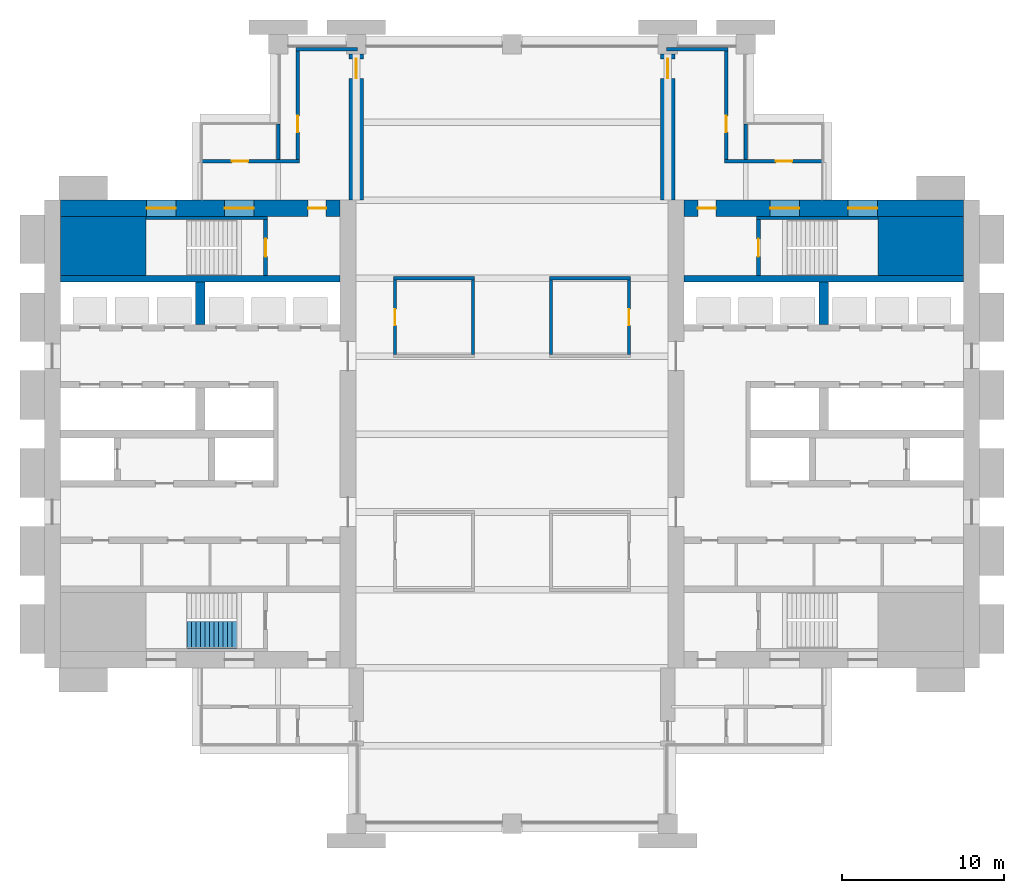
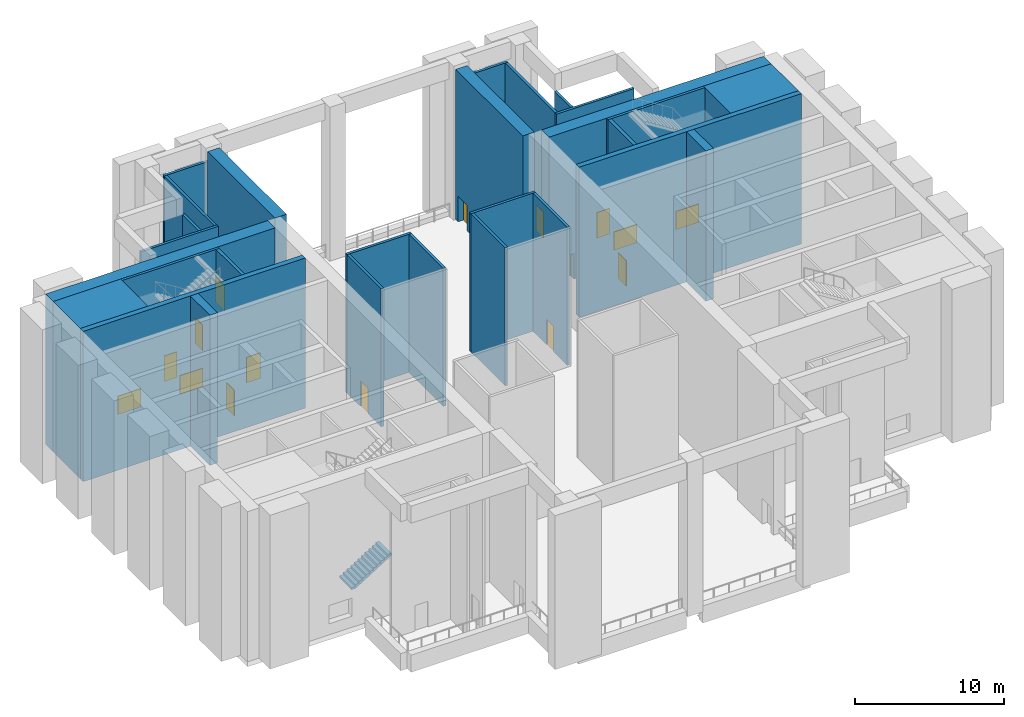
# One storey, part 5 of 9: 28 walls, 12 doors, 4 windows, 1 stair flight, 16 openings, 1 element without a shape of its own.
"""IFC4 building model written with IfcOpenShell, lengths in metres."""

from ifc_helpers import new_model, si_unit, direction, frame, frame_2d, origin, place, context, subcontext, project, spatial, polyline, rectangle, outline, extrude, material, layer, layer_set, type_object, element, fill, aggregate, save


model = new_model("IFC4")

# Units and contexts
model_context = context("Model", 3, precision=1e-05, world=origin(), true_north=direction((0.0, 1.0)))
body_context = subcontext(model_context, "Body", "Model", "MODEL_VIEW")
ifc_project = project(units=[si_unit("LENGTHUNIT", "METRE"), si_unit("AREAUNIT", "SQUARE_METRE"), si_unit("VOLUMEUNIT", "CUBIC_METRE"), si_unit("PLANEANGLEUNIT", "RADIAN"), si_unit("MASSUNIT", "GRAM", prefix="KILO")], contexts=[model_context])

# Site, building, storey
site_placement = place(None, origin())
site = spatial("IfcSite", under=ifc_project, at=site_placement, CompositionType="ELEMENT")
building_placement = place(site_placement, origin())
building = spatial("IfcBuilding", under=site, at=building_placement, Name="Baori Bourse Tower", CompositionType="ELEMENT")
storey_placement = place(building_placement, frame((0.0, 0.0, 180.60009765625)))
storey = spatial("IfcBuildingStorey", under=building, at=storey_placement, Name="L40", CompositionType="ELEMENT", Elevation=180.60009765625)

# Walls
ifc_material_1 = material(Name="Concrete f'c 60 MPa", Category="concrete")
wall_type_1 = type_object("IfcWallType", Name="Core corner block f'c 60", PredefinedType="SHEAR", material=ifc_material_1)
for number, where, z_axis, x_axis, name in (
    (1, (1.0, 35.574951171875, 0.0), (0.0, 0.0, 1.0), (1.0, 0.0, 0.0), "Core wall W22"),
    (2, (51.35009765625, 35.574951171875, 0.0), (0.0, 0.0, 1.0), (1.0, 0.0, 0.0), "Core wall E22"),
):
    element("IfcWall", number, at=place(storey_placement, frame(where, z_axis=z_axis, x_axis=x_axis)), inside=storey, type_object=wall_type_1, Name=name, PredefinedType="SHEAR", context=body_context, shape_type="SweptSolid", body=[
        extrude(rectangle(XDim=5.25, YDim=3.64990234375, at=frame_2d((2.625, 0.0))), origin(), (0.0, 0.0, 1.0), 12.2998046875),
    ])

# Wall, openings, door, windows
ifc_material_2 = material(Name="Concrete f'c 60 MPa", Category="concrete")
ifc_layer_1 = layer(ifc_material_2, 1.0)
ifc_layer_set_1 = layer_set([ifc_layer_1], Name="Core wall 1000 f'c 60")
wall_type_2 = type_object("IfcWallType", Name="Core wall 1000 f'c 60", PredefinedType="SHEAR", material=ifc_layer_set_1)
wall_1_placement = place(storey_placement, frame((1.0, 37.89990234375, 0.0), z_axis=(0.0, 0.0, 1.0), x_axis=(1.0, 0.0, 0.0)))
wall_1 = element("IfcWall", 3, at=wall_1_placement, inside=storey, type_object=wall_type_2, Name="Core wall W25", PredefinedType="SHEAR", context=body_context, shape_type="SweptSolid", body=[
    extrude(rectangle(XDim=17.199951171875, YDim=1.0, at=frame_2d((8.60009765625, 0.0))), origin(), (0.0, 0.0, 1.0), 12.2998046875),
])
opening_1_placement = place(wall_1_placement, frame((15.25, 0.0, 0.0)))
opening_1 = element("IfcOpeningElement", 4, at=opening_1_placement, cuts=wall_1, Name="Opening L40-D104", PredefinedType="OPENING", context=body_context, shape_type="SweptSolid", body=[
    extrude(rectangle(XDim=1.10009765625, YDim=2.10009765625, at=frame_2d((0.550048828125, 1.050048828125))), frame((0.0, 0.510009765625, 0.0), z_axis=(0.0, -1.0, 0.0), x_axis=(1.0, 0.0, 0.0)), (0.0, 0.0, 1.0), 1.02001953125),
])
opening_2_placement = place(wall_1_placement, frame((5.300048828125, 0.0, 0.89990234375)))
opening_2 = element("IfcOpeningElement", 5, at=opening_2_placement, cuts=wall_1, Name="Opening L40-KW105", PredefinedType="OPENING", context=body_context, shape_type="SweptSolid", body=[
    extrude(rectangle(XDim=1.800048828125, YDim=1.5, at=frame_2d((0.89990234375, 0.75))), frame((0.0, 0.510009765625, 0.0), z_axis=(0.0, -1.0, 0.0), x_axis=(1.0, 0.0, 0.0)), (0.0, 0.0, 1.0), 1.02001953125),
])
opening_3_placement = place(wall_1_placement, frame((10.10009765625, 0.0, 0.89990234375)))
opening_3 = element("IfcOpeningElement", 6, at=opening_3_placement, cuts=wall_1, Name="Opening L40-KW106", PredefinedType="OPENING", context=body_context, shape_type="SweptSolid", body=[
    extrude(rectangle(XDim=1.800048828125, YDim=1.5, at=frame_2d((0.89990234375, 0.75))), frame((0.0, 0.510009765625, 0.0), z_axis=(0.0, -1.0, 0.0), x_axis=(1.0, 0.0, 0.0)), (0.0, 0.0, 1.0), 1.02001953125),
])
ifc_material_3 = material(Name="Painted steel door", Category="steel")
door_type_1 = type_object("IfcDoorType", Name="Stair door 1100", OperationType="SINGLE_SWING_LEFT", PredefinedType="DOOR", material=ifc_material_3)
door_1_placement = place(opening_1_placement, origin())
door_1 = element("IfcDoor", 7, at=door_1_placement, inside=storey, type_object=door_type_1, Name="Stair vestibule door B W L40", OperationType="SINGLE_SWING_LEFT", OverallHeight=2.10009765625, OverallWidth=1.10009765625, PredefinedType="DOOR", context=body_context, shape_type="SweptSolid", body=[
    extrude(rectangle(XDim=1.10009765625, YDim=2.10009765625, at=frame_2d((0.550048828125, 1.050048828125))), frame((0.0, 0.02490234375, 0.0), z_axis=(0.0, -1.0, 0.0), x_axis=(1.0, 0.0, 0.0)), (0.0, 0.0, 1.0), 0.050048828125),
])
fill(opening_1, door_1)
ifc_material_4 = material(Name="Pale anodised aluminium", Category="aluminium")
window_type = type_object("IfcWindowType", Name="Stair window 1800 x 1500", PartitioningType="SINGLE_PANEL", PredefinedType="WINDOW", material=ifc_material_4)
window_1_placement = place(opening_2_placement, origin())
window_1 = element("IfcWindow", 8, at=window_1_placement, inside=storey, type_object=window_type, Name="Stair window W L40 5", OverallHeight=1.5, OverallWidth=1.800048828125, PartitioningType="SINGLE_PANEL", PredefinedType="WINDOW", context=body_context, shape_type="SweptSolid", body=[
    extrude(rectangle(XDim=1.800048828125, YDim=1.5, at=frame_2d((0.89990234375, 0.75))), frame((0.0, 0.030029296875, 0.0), z_axis=(0.0, -1.0, 0.0), x_axis=(1.0, 0.0, 0.0)), (0.0, 0.0, 1.0), 0.06005859375),
])
fill(opening_2, window_1)
window_2_placement = place(opening_3_placement, origin())
window_2 = element("IfcWindow", 9, at=window_2_placement, inside=storey, type_object=window_type, Name="Stair window W L40 6", OverallHeight=1.5, OverallWidth=1.800048828125, PartitioningType="SINGLE_PANEL", PredefinedType="WINDOW", context=body_context, shape_type="SweptSolid", body=[
    extrude(rectangle(XDim=1.800048828125, YDim=1.5, at=frame_2d((0.89990234375, 0.75))), frame((0.0, 0.030029296875, 0.0), z_axis=(0.0, -1.0, 0.0), x_axis=(1.0, 0.0, 0.0)), (0.0, 0.0, 1.0), 0.06005859375),
])
fill(opening_3, window_2)

wall_2_placement = place(storey_placement, frame((39.39990234375, 37.89990234375, 0.0), z_axis=(0.0, 0.0, 1.0), x_axis=(1.0, 0.0, 0.0)))
wall_2 = element("IfcWall", 10, at=wall_2_placement, inside=storey, type_object=wall_type_2, Name="Core wall E25", PredefinedType="SHEAR", context=body_context, shape_type="SweptSolid", body=[
    extrude(rectangle(XDim=17.2001953125, YDim=1.0, at=frame_2d((8.60009765625, 0.0))), origin(), (0.0, 0.0, 1.0), 12.2998046875),
])
opening_4_placement = place(wall_2_placement, frame((0.85009765625, 0.0, 0.0)))
opening_4 = element("IfcOpeningElement", 11, at=opening_4_placement, cuts=wall_2, Name="Opening L40-D204", PredefinedType="OPENING", context=body_context, shape_type="SweptSolid", body=[
    extrude(rectangle(XDim=1.10009765625, YDim=2.10009765625, at=frame_2d((0.550048828125, 1.050048828125))), frame((0.0, 0.510009765625, 0.0), z_axis=(0.0, -1.0, 0.0), x_axis=(1.0, 0.0, 0.0)), (0.0, 0.0, 1.0), 1.02001953125),
])
opening_5_placement = place(wall_2_placement, frame((10.10009765625, 0.0, 0.89990234375)))
opening_5 = element("IfcOpeningElement", 12, at=opening_5_placement, cuts=wall_2, Name="Opening L40-KW205", PredefinedType="OPENING", context=body_context, shape_type="SweptSolid", body=[
    extrude(rectangle(XDim=1.800048828125, YDim=1.5, at=frame_2d((0.89990234375, 0.75))), frame((0.0, 0.510009765625, 0.0), z_axis=(0.0, -1.0, 0.0), x_axis=(1.0, 0.0, 0.0)), (0.0, 0.0, 1.0), 1.02001953125),
])
opening_6_placement = place(wall_2_placement, frame((5.300048828125, 0.0, 0.89990234375)))
opening_6 = element("IfcOpeningElement", 13, at=opening_6_placement, cuts=wall_2, Name="Opening L40-KW206", PredefinedType="OPENING", context=body_context, shape_type="SweptSolid", body=[
    extrude(rectangle(XDim=1.800048828125, YDim=1.5, at=frame_2d((0.89990234375, 0.75))), frame((0.0, 0.510009765625, 0.0), z_axis=(0.0, -1.0, 0.0), x_axis=(1.0, 0.0, 0.0)), (0.0, 0.0, 1.0), 1.02001953125),
])
door_2_placement = place(opening_4_placement, origin())
door_2 = element("IfcDoor", 14, at=door_2_placement, inside=storey, type_object=door_type_1, Name="Stair vestibule door B E L40", OperationType="SINGLE_SWING_LEFT", OverallHeight=2.10009765625, OverallWidth=1.10009765625, PredefinedType="DOOR", context=body_context, shape_type="SweptSolid", body=[
    extrude(rectangle(XDim=1.10009765625, YDim=2.10009765625, at=frame_2d((0.550048828125, 1.050048828125))), frame((0.0, 0.02490234375, 0.0), z_axis=(0.0, -1.0, 0.0), x_axis=(1.0, 0.0, 0.0)), (0.0, 0.0, 1.0), 0.050048828125),
])
fill(opening_4, door_2)
window_3_placement = place(opening_5_placement, origin())
window_3 = element("IfcWindow", 15, at=window_3_placement, inside=storey, type_object=window_type, Name="Stair window E L40 5", OverallHeight=1.5, OverallWidth=1.800048828125, PartitioningType="SINGLE_PANEL", PredefinedType="WINDOW", context=body_context, shape_type="SweptSolid", body=[
    extrude(rectangle(XDim=1.800048828125, YDim=1.5, at=frame_2d((0.89990234375, 0.75))), frame((0.0, 0.030029296875, 0.0), z_axis=(0.0, -1.0, 0.0), x_axis=(1.0, 0.0, 0.0)), (0.0, 0.0, 1.0), 0.06005859375),
])
fill(opening_5, window_3)
window_4_placement = place(opening_6_placement, origin())
window_4 = element("IfcWindow", 16, at=window_4_placement, inside=storey, type_object=window_type, Name="Stair window E L40 6", OverallHeight=1.5, OverallWidth=1.800048828125, PartitioningType="SINGLE_PANEL", PredefinedType="WINDOW", context=body_context, shape_type="SweptSolid", body=[
    extrude(rectangle(XDim=1.800048828125, YDim=1.5, at=frame_2d((0.89990234375, 0.75))), frame((0.0, 0.030029296875, 0.0), z_axis=(0.0, -1.0, 0.0), x_axis=(1.0, 0.0, 0.0)), (0.0, 0.0, 1.0), 0.06005859375),
])
fill(opening_6, window_4)

# Wall, opening, door
ifc_material_5 = material(Name="Concrete f'c 60 MPa", Category="concrete")
ifc_layer_2 = layer(ifc_material_5, 0.89990234375)
ifc_layer_set_2 = layer_set([ifc_layer_2], Name="Outrigger wall 900 60")
wall_type_3 = type_object("IfcWallType", Name="Outrigger wall 900 60", PredefinedType="SHEAR", material=ifc_layer_set_2)
wall_3_placement = place(storey_placement, frame((19.199951171875, 38.39990234375, 0.0), z_axis=(0.0, 0.0, 1.0), x_axis=(0.0, 1.0, 0.0)))
wall_3 = element("IfcWall", 17, at=wall_3_placement, inside=storey, type_object=wall_type_3, Name="Outrigger wall L40", PredefinedType="SHEAR", context=body_context, shape_type="SweptSolid", body=[
    extrude(rectangle(XDim=9.0, YDim=0.89990234375, at=frame_2d((4.5, 0.0))), origin(), (0.0, 0.0, 1.0), 12.2998046875),
])
opening_7_placement = place(wall_3_placement, frame((7.5, 0.0, 0.0)))
opening_7 = element("IfcOpeningElement", 18, at=opening_7_placement, cuts=wall_3, Name="Opening L40-D14", PredefinedType="OPENING", context=body_context, shape_type="SweptSolid", body=[
    extrude(rectangle(XDim=1.199951171875, YDim=2.10009765625, at=frame_2d((0.60009765625, 1.050048828125))), frame((0.0, 0.4599609375, 0.0), z_axis=(0.0, -1.0, 0.0), x_axis=(1.0, 0.0, 0.0)), (0.0, 0.0, 1.0), 0.919921875),
])
ifc_material_6 = material(Name="Timber door leaf", Category="wood")
door_type_2 = type_object("IfcDoorType", Name="Door 1200 x 2100", OperationType="SINGLE_SWING_LEFT", PredefinedType="DOOR", material=ifc_material_6)
door_3_placement = place(opening_7_placement, origin())
door_3 = element("IfcDoor", 19, at=door_3_placement, inside=storey, type_object=door_type_2, Name="Door", OperationType="SINGLE_SWING_LEFT", OverallHeight=2.10009765625, OverallWidth=1.199951171875, PredefinedType="DOOR", context=body_context, shape_type="SweptSolid", body=[
    extrude(rectangle(XDim=1.199951171875, YDim=2.10009765625, at=frame_2d((0.60009765625, 1.050048828125))), frame((0.0, 0.02490234375, 0.0), z_axis=(0.0, -1.0, 0.0), x_axis=(1.0, 0.0, 0.0)), (0.0, 0.0, 1.0), 0.050048828125),
])
fill(opening_7, door_3)

wall_4_placement = place(storey_placement, frame((38.39990234375, 38.39990234375, 0.0), z_axis=(0.0, 0.0, 1.0), x_axis=(0.0, 1.0, 0.0)))
wall_4 = element("IfcWall", 20, at=wall_4_placement, inside=storey, type_object=wall_type_3, Name="Outrigger wall L40", PredefinedType="SHEAR", context=body_context, shape_type="SweptSolid", body=[
    extrude(rectangle(XDim=9.0, YDim=0.89990234375, at=frame_2d((4.5, 0.0))), origin(), (0.0, 0.0, 1.0), 12.2998046875),
])
opening_8_placement = place(wall_4_placement, frame((7.5, 0.0, 0.0)))
opening_8 = element("IfcOpeningElement", 21, at=opening_8_placement, cuts=wall_4, Name="Opening L40-D16", PredefinedType="OPENING", context=body_context, shape_type="SweptSolid", body=[
    extrude(rectangle(XDim=1.199951171875, YDim=2.10009765625, at=frame_2d((0.60009765625, 1.050048828125))), frame((0.0, 0.4599609375, 0.0), z_axis=(0.0, -1.0, 0.0), x_axis=(1.0, 0.0, 0.0)), (0.0, 0.0, 1.0), 0.919921875),
])
door_4_placement = place(opening_8_placement, origin())
door_4 = element("IfcDoor", 22, at=door_4_placement, inside=storey, type_object=door_type_2, Name="Door", OperationType="SINGLE_SWING_RIGHT", OverallHeight=2.10009765625, OverallWidth=1.199951171875, PredefinedType="DOOR", context=body_context, shape_type="SweptSolid", body=[
    extrude(rectangle(XDim=1.199951171875, YDim=2.10009765625, at=frame_2d((0.60009765625, 1.050048828125))), frame((0.0, 0.02490234375, 0.0), z_axis=(0.0, -1.0, 0.0), x_axis=(1.0, 0.0, 0.0)), (0.0, 0.0, 1.0), 0.050048828125),
])
fill(opening_8, door_4)

# Walls
ifc_material_7 = material(Name="Gypsum board partition")
ifc_layer_3 = layer(ifc_material_7, 0.199951171875)
ifc_layer_set_3 = layer_set([ifc_layer_3], Name="Plant room wall 200")
wall_type_4 = type_object("IfcWallType", Name="Plant room wall 200", PredefinedType="PARTITIONING", material=ifc_layer_set_3)
for number, where, z_axis, x_axis, name in (
    (23, (21.5, 33.60009765625, 0.0), (0.0, 0.0, 1.0), (1.0, 0.0, 0.0), "Partition"),
    (24, (31.10009765625, 33.60009765625, 0.0), (0.0, 0.0, 1.0), (1.0, 0.0, 0.0), "Partition"),
):
    element("IfcWall", number, at=place(storey_placement, frame(where, z_axis=z_axis, x_axis=x_axis)), inside=storey, type_object=wall_type_4, Name=name, PredefinedType="PARTITIONING", context=body_context, shape_type="SweptSolid", body=[
        extrude(rectangle(XDim=5.0, YDim=0.199951171875, at=frame_2d((2.5, 0.0))), origin(), (0.0, 0.0, 1.0), 11.309326171875),
    ])

# Wall, opening, door
wall_5_placement = place(storey_placement, frame((9.699951171875, 40.800048828125, 0.0), z_axis=(0.0, 0.0, 1.0), x_axis=(1.0, 0.0, 0.0)))
wall_5 = element("IfcWall", 25, at=wall_5_placement, inside=storey, type_object=wall_type_4, Name="Partition", PredefinedType="PARTITIONING", context=body_context, shape_type="SweptSolid", body=[
    extrude(rectangle(XDim=6.0, YDim=0.199951171875, at=frame_2d((3.0, 0.0))), origin(), (0.0, 0.0, 1.0), 11.309326171875),
])
opening_9_placement = place(wall_5_placement, frame((1.85009765625, 0.0, 0.0)))
opening_9 = element("IfcOpeningElement", 26, at=opening_9_placement, cuts=wall_5, Name="Opening L40-D03", PredefinedType="OPENING", context=body_context, shape_type="SweptSolid", body=[
    extrude(rectangle(XDim=1.0, YDim=2.10009765625, at=frame_2d((0.5, 1.050048828125))), frame((0.0, 0.10986328125, 0.0), z_axis=(0.0, -1.0, 0.0), x_axis=(1.0, 0.0, 0.0)), (0.0, 0.0, 1.0), 0.219970703125),
])
ifc_material_8 = material(Name="Timber door leaf", Category="wood")
door_type_3 = type_object("IfcDoorType", Name="Door 1000 x 2100", OperationType="SINGLE_SWING_LEFT", PredefinedType="DOOR", material=ifc_material_8)
door_5_placement = place(opening_9_placement, origin())
door_5 = element("IfcDoor", 27, at=door_5_placement, inside=storey, type_object=door_type_3, Name="Door", OperationType="SINGLE_SWING_RIGHT", OverallHeight=2.10009765625, OverallWidth=1.0, PredefinedType="DOOR", context=body_context, shape_type="SweptSolid", body=[
    extrude(rectangle(XDim=1.0, YDim=2.10009765625, at=frame_2d((0.5, 1.050048828125))), frame((0.0, 0.02490234375, 0.0), z_axis=(0.0, -1.0, 0.0), x_axis=(1.0, 0.0, 0.0)), (0.0, 0.0, 1.0), 0.050048828125),
])
fill(opening_9, door_5)

wall_6_placement = place(storey_placement, frame((41.89990234375, 40.800048828125, 0.0), z_axis=(0.0, 0.0, 1.0), x_axis=(1.0, 0.0, 0.0)))
wall_6 = element("IfcWall", 28, at=wall_6_placement, inside=storey, type_object=wall_type_4, Name="Partition", PredefinedType="PARTITIONING", context=body_context, shape_type="SweptSolid", body=[
    extrude(rectangle(XDim=6.0, YDim=0.199951171875, at=frame_2d((3.0, 0.0))), origin(), (0.0, 0.0, 1.0), 11.309326171875),
])
opening_10_placement = place(wall_6_placement, frame((3.14990234375, 0.0, 0.0)))
opening_10 = element("IfcOpeningElement", 29, at=opening_10_placement, cuts=wall_6, Name="Opening L40-D04", PredefinedType="OPENING", context=body_context, shape_type="SweptSolid", body=[
    extrude(rectangle(XDim=1.0, YDim=2.10009765625, at=frame_2d((0.5, 1.050048828125))), frame((0.0, 0.10986328125, 0.0), z_axis=(0.0, -1.0, 0.0), x_axis=(1.0, 0.0, 0.0)), (0.0, 0.0, 1.0), 0.219970703125),
])
door_6_placement = place(opening_10_placement, origin())
door_6 = element("IfcDoor", 30, at=door_6_placement, inside=storey, type_object=door_type_3, Name="Door", OperationType="SINGLE_SWING_LEFT", OverallHeight=2.10009765625, OverallWidth=1.0, PredefinedType="DOOR", context=body_context, shape_type="SweptSolid", body=[
    extrude(rectangle(XDim=1.0, YDim=2.10009765625, at=frame_2d((0.5, 1.050048828125))), frame((0.0, 0.02490234375, 0.0), z_axis=(0.0, -1.0, 0.0), x_axis=(1.0, 0.0, 0.0)), (0.0, 0.0, 1.0), 0.050048828125),
])
fill(opening_10, door_6)

# Walls
for number, where, z_axis, x_axis, name in (
    (31, (15.5, 47.699951171875, 0.0), (0.0, 0.0, 1.0), (1.0, 0.0, 0.0), "Partition"),
    (32, (38.300048828125, 47.699951171875, 0.0), (0.0, 0.0, 1.0), (1.0, 0.0, 0.0), "Partition"),
):
    element("IfcWall", number, at=place(storey_placement, frame(where, z_axis=z_axis, x_axis=x_axis)), inside=storey, type_object=wall_type_4, Name=name, PredefinedType="PARTITIONING", context=body_context, shape_type="SweptSolid", body=[
        extrude(rectangle(XDim=3.800048828125, YDim=0.199951171875, at=frame_2d((1.89990234375, 0.0))), origin(), (0.0, 0.0, 1.0), 11.309326171875),
    ])
wall_7_placement = place(storey_placement, frame((14.39990234375, 40.89990234375, 0.0), z_axis=(0.0, 0.0, 1.0), x_axis=(0.0, 1.0, 0.0)))
element("IfcWall", 33, at=wall_7_placement, inside=storey, type_object=wall_type_4, Name="Partition", PredefinedType="PARTITIONING", context=body_context, shape_type="SweptSolid", body=[
    extrude(rectangle(XDim=2.2001953125, YDim=0.199951171875, at=frame_2d((1.10009765625, 0.0))), origin(), (0.0, 0.0, 1.0), 11.309326171875),
])

# Wall, opening, door
wall_8_placement = place(storey_placement, frame((15.60009765625, 40.89990234375, 0.0), z_axis=(0.0, 0.0, 1.0), x_axis=(0.0, 1.0, 0.0)))
wall_8 = element("IfcWall", 34, at=wall_8_placement, inside=storey, type_object=wall_type_4, Name="Partition", PredefinedType="PARTITIONING", context=body_context, shape_type="SweptSolid", body=[
    extrude(rectangle(XDim=6.7001953125, YDim=0.199951171875, at=frame_2d((3.35009765625, 0.0))), origin(), (0.0, 0.0, 1.0), 11.309326171875),
])
opening_11_placement = place(wall_8_placement, frame((1.699951171875, 0.0, 0.0)))
opening_11 = element("IfcOpeningElement", 35, at=opening_11_placement, cuts=wall_8, Name="Opening L40-D06", PredefinedType="OPENING", context=body_context, shape_type="SweptSolid", body=[
    extrude(rectangle(XDim=1.0, YDim=2.10009765625, at=frame_2d((0.5, 1.050048828125))), frame((0.0, 0.10986328125, 0.0), z_axis=(0.0, -1.0, 0.0), x_axis=(1.0, 0.0, 0.0)), (0.0, 0.0, 1.0), 0.219970703125),
])
door_7_placement = place(opening_11_placement, origin())
door_7 = element("IfcDoor", 36, at=door_7_placement, inside=storey, type_object=door_type_3, Name="Door", OperationType="SINGLE_SWING_RIGHT", OverallHeight=2.10009765625, OverallWidth=1.0, PredefinedType="DOOR", context=body_context, shape_type="SweptSolid", body=[
    extrude(rectangle(XDim=1.0, YDim=2.10009765625, at=frame_2d((0.5, 1.050048828125))), frame((0.0, 0.02490234375, 0.0), z_axis=(0.0, -1.0, 0.0), x_axis=(1.0, 0.0, 0.0)), (0.0, 0.0, 1.0), 0.050048828125),
])
fill(opening_11, door_7)

wall_9_placement = place(storey_placement, frame((21.60009765625, 28.89990234375, 0.0), z_axis=(0.0, 0.0, 1.0), x_axis=(0.0, 1.0, 0.0)))
wall_9 = element("IfcWall", 37, at=wall_9_placement, inside=storey, type_object=wall_type_4, Name="Partition", PredefinedType="PARTITIONING", context=body_context, shape_type="SweptSolid", body=[
    extrude(rectangle(XDim=4.60009765625, YDim=0.199951171875, at=frame_2d((2.300048828125, 0.0))), origin(), (0.0, 0.0, 1.0), 11.309326171875),
])
opening_12_placement = place(wall_9_placement, frame((1.800048828125, 0.0, 0.0)))
opening_12 = element("IfcOpeningElement", 38, at=opening_12_placement, cuts=wall_9, Name="Opening L40-D08", PredefinedType="OPENING", context=body_context, shape_type="SweptSolid", body=[
    extrude(rectangle(XDim=1.0, YDim=2.10009765625, at=frame_2d((0.5, 1.050048828125))), frame((0.0, 0.10986328125, 0.0), z_axis=(0.0, -1.0, 0.0), x_axis=(1.0, 0.0, 0.0)), (0.0, 0.0, 1.0), 0.219970703125),
])
door_8_placement = place(opening_12_placement, origin())
door_8 = element("IfcDoor", 39, at=door_8_placement, inside=storey, type_object=door_type_3, Name="Door", OperationType="SINGLE_SWING_LEFT", OverallHeight=2.10009765625, OverallWidth=1.0, PredefinedType="DOOR", context=body_context, shape_type="SweptSolid", body=[
    extrude(rectangle(XDim=1.0, YDim=2.10009765625, at=frame_2d((0.5, 1.050048828125))), frame((0.0, 0.02490234375, 0.0), z_axis=(0.0, -1.0, 0.0), x_axis=(1.0, 0.0, 0.0)), (0.0, 0.0, 1.0), 0.050048828125),
])
fill(opening_12, door_8)

# Walls
for number, where, z_axis, x_axis, name in (
    (40, (26.39990234375, 28.89990234375, 0.0), (0.0, 0.0, 1.0), (0.0, 1.0, 0.0), "Partition"),
    (41, (31.199951171875, 28.89990234375, 0.0), (0.0, 0.0, 1.0), (0.0, 1.0, 0.0), "Partition"),
):
    element("IfcWall", number, at=place(storey_placement, frame(where, z_axis=z_axis, x_axis=x_axis)), inside=storey, type_object=wall_type_4, Name=name, PredefinedType="PARTITIONING", context=body_context, shape_type="SweptSolid", body=[
        extrude(rectangle(XDim=4.60009765625, YDim=0.199951171875, at=frame_2d((2.300048828125, 0.0))), origin(), (0.0, 0.0, 1.0), 11.309326171875),
    ])

# Wall, opening, door
wall_10_placement = place(storey_placement, frame((36.0, 28.89990234375, 0.0), z_axis=(0.0, 0.0, 1.0), x_axis=(0.0, 1.0, 0.0)))
wall_10 = element("IfcWall", 42, at=wall_10_placement, inside=storey, type_object=wall_type_4, Name="Partition", PredefinedType="PARTITIONING", context=body_context, shape_type="SweptSolid", body=[
    extrude(rectangle(XDim=4.60009765625, YDim=0.199951171875, at=frame_2d((2.300048828125, 0.0))), origin(), (0.0, 0.0, 1.0), 11.309326171875),
])
opening_13_placement = place(wall_10_placement, frame((1.800048828125, 0.0, 0.0)))
opening_13 = element("IfcOpeningElement", 43, at=opening_13_placement, cuts=wall_10, Name="Opening L40-D10", PredefinedType="OPENING", context=body_context, shape_type="SweptSolid", body=[
    extrude(rectangle(XDim=1.0, YDim=2.10009765625, at=frame_2d((0.5, 1.050048828125))), frame((0.0, 0.10986328125, 0.0), z_axis=(0.0, -1.0, 0.0), x_axis=(1.0, 0.0, 0.0)), (0.0, 0.0, 1.0), 0.219970703125),
])
door_9_placement = place(opening_13_placement, origin())
door_9 = element("IfcDoor", 44, at=door_9_placement, inside=storey, type_object=door_type_3, Name="Door", OperationType="SINGLE_SWING_RIGHT", OverallHeight=2.10009765625, OverallWidth=1.0, PredefinedType="DOOR", context=body_context, shape_type="SweptSolid", body=[
    extrude(rectangle(XDim=1.0, YDim=2.10009765625, at=frame_2d((0.5, 1.050048828125))), frame((0.0, 0.02490234375, 0.0), z_axis=(0.0, -1.0, 0.0), x_axis=(1.0, 0.0, 0.0)), (0.0, 0.0, 1.0), 0.050048828125),
])
fill(opening_13, door_9)

wall_11_placement = place(storey_placement, frame((42.0, 40.89990234375, 0.0), z_axis=(0.0, 0.0, 1.0), x_axis=(0.0, 1.0, 0.0)))
wall_11 = element("IfcWall", 45, at=wall_11_placement, inside=storey, type_object=wall_type_4, Name="Partition", PredefinedType="PARTITIONING", context=body_context, shape_type="SweptSolid", body=[
    extrude(rectangle(XDim=6.7001953125, YDim=0.199951171875, at=frame_2d((3.35009765625, 0.0))), origin(), (0.0, 0.0, 1.0), 11.309326171875),
])
opening_14_placement = place(wall_11_placement, frame((1.699951171875, 0.0, 0.0)))
opening_14 = element("IfcOpeningElement", 46, at=opening_14_placement, cuts=wall_11, Name="Opening L40-D12", PredefinedType="OPENING", context=body_context, shape_type="SweptSolid", body=[
    extrude(rectangle(XDim=1.0, YDim=2.10009765625, at=frame_2d((0.5, 1.050048828125))), frame((0.0, 0.10986328125, 0.0), z_axis=(0.0, -1.0, 0.0), x_axis=(1.0, 0.0, 0.0)), (0.0, 0.0, 1.0), 0.219970703125),
])
door_10_placement = place(opening_14_placement, origin())
door_10 = element("IfcDoor", 47, at=door_10_placement, inside=storey, type_object=door_type_3, Name="Door", OperationType="SINGLE_SWING_LEFT", OverallHeight=2.10009765625, OverallWidth=1.0, PredefinedType="DOOR", context=body_context, shape_type="SweptSolid", body=[
    extrude(rectangle(XDim=1.0, YDim=2.10009765625, at=frame_2d((0.5, 1.050048828125))), frame((0.0, 0.02490234375, 0.0), z_axis=(0.0, -1.0, 0.0), x_axis=(1.0, 0.0, 0.0)), (0.0, 0.0, 1.0), 0.050048828125),
])
fill(opening_14, door_10)

# Walls
wall_12_placement = place(storey_placement, frame((43.199951171875, 40.89990234375, 0.0), z_axis=(0.0, 0.0, 1.0), x_axis=(0.0, 1.0, 0.0)))
element("IfcWall", 48, at=wall_12_placement, inside=storey, type_object=wall_type_4, Name="Partition", PredefinedType="PARTITIONING", context=body_context, shape_type="SweptSolid", body=[
    extrude(rectangle(XDim=2.2001953125, YDim=0.199951171875, at=frame_2d((1.10009765625, 0.0))), origin(), (0.0, 0.0, 1.0), 11.309326171875),
])
ifc_material_9 = material(Name="Concrete f'c 60 MPa", Category="concrete")
ifc_layer_4 = layer(ifc_material_9, 0.199951171875)
ifc_layer_set_4 = layer_set([ifc_layer_4], Name="Shaft wall 200 f'c 60")
wall_type_5 = type_object("IfcWallType", Name="Shaft wall 200 f'c 60", PredefinedType="SHEAR", material=ifc_layer_set_4)
for number, where, z_axis, x_axis, name in (
    (49, (6.25, 37.300048828125, 0.0), (0.0, 0.0, 1.0), (1.0, 0.0, 0.0), "Core wall W24"),
    (50, (43.85009765625, 37.300048828125, 0.0), (0.0, 0.0, 1.0), (1.0, 0.0, 0.0), "Core wall E24"),
):
    element("IfcWall", number, at=place(storey_placement, frame(where, z_axis=z_axis, x_axis=x_axis)), inside=storey, type_object=wall_type_5, Name=name, PredefinedType="SHEAR", context=body_context, shape_type="SweptSolid", body=[
        extrude(rectangle(XDim=7.5, YDim=0.199951171875, at=frame_2d((3.75, 0.0))), origin(), (0.0, 0.0, 1.0), 12.2998046875),
    ])

# Wall, opening, door
ifc_material_10 = material(Name="Concrete f'c 60 MPa", Category="concrete")
ifc_layer_5 = layer(ifc_material_10, 0.25)
ifc_layer_set_5 = layer_set([ifc_layer_5], Name="Shaft wall 250 f'c 60")
wall_type_6 = type_object("IfcWallType", Name="Shaft wall 250 f'c 60", PredefinedType="SHEAR", material=ifc_layer_set_5)
wall_13_placement = place(storey_placement, frame((13.625, 33.75, 0.0), z_axis=(0.0, 0.0, 1.0), x_axis=(0.0, 1.0, 0.0)))
wall_13 = element("IfcWall", 51, at=wall_13_placement, inside=storey, type_object=wall_type_6, Name="Core wall W23", PredefinedType="SHEAR", context=body_context, shape_type="SweptSolid", body=[
    extrude(rectangle(XDim=3.449951171875, YDim=0.25, at=frame_2d((1.72509765625, 0.0))), origin(), (0.0, 0.0, 1.0), 12.2998046875),
])
opening_15_placement = place(wall_13_placement, frame((1.175048828125, 0.0, 0.0)))
opening_15 = element("IfcOpeningElement", 52, at=opening_15_placement, cuts=wall_13, Name="Opening L40-D103", PredefinedType="OPENING", context=body_context, shape_type="SweptSolid", body=[
    extrude(rectangle(XDim=1.10009765625, YDim=2.10009765625, at=frame_2d((0.550048828125, 1.050048828125))), frame((0.0, 0.135009765625, 0.0), z_axis=(0.0, -1.0, 0.0), x_axis=(1.0, 0.0, 0.0)), (0.0, 0.0, 1.0), 0.27001953125),
])
door_11_placement = place(opening_15_placement, origin())
door_11 = element("IfcDoor", 53, at=door_11_placement, inside=storey, type_object=door_type_1, Name="Stair door B W L40", OperationType="SINGLE_SWING_LEFT", OverallHeight=2.10009765625, OverallWidth=1.10009765625, PredefinedType="DOOR", context=body_context, shape_type="SweptSolid", body=[
    extrude(rectangle(XDim=1.10009765625, YDim=2.10009765625, at=frame_2d((0.550048828125, 1.050048828125))), frame((0.0, 0.02490234375, 0.0), z_axis=(0.0, -1.0, 0.0), x_axis=(1.0, 0.0, 0.0)), (0.0, 0.0, 1.0), 0.050048828125),
])
fill(opening_15, door_11)

wall_14_placement = place(storey_placement, frame((43.97509765625, 33.75, 0.0), z_axis=(0.0, 0.0, 1.0), x_axis=(0.0, 1.0, 0.0)))
wall_14 = element("IfcWall", 54, at=wall_14_placement, inside=storey, type_object=wall_type_6, Name="Core wall E23", PredefinedType="SHEAR", context=body_context, shape_type="SweptSolid", body=[
    extrude(rectangle(XDim=3.449951171875, YDim=0.25, at=frame_2d((1.72509765625, 0.0))), origin(), (0.0, 0.0, 1.0), 12.2998046875),
])
opening_16_placement = place(wall_14_placement, frame((1.175048828125, 0.0, 0.0)))
opening_16 = element("IfcOpeningElement", 55, at=opening_16_placement, cuts=wall_14, Name="Opening L40-D203", PredefinedType="OPENING", context=body_context, shape_type="SweptSolid", body=[
    extrude(rectangle(XDim=1.10009765625, YDim=2.10009765625, at=frame_2d((0.550048828125, 1.050048828125))), frame((0.0, 0.135009765625, 0.0), z_axis=(0.0, -1.0, 0.0), x_axis=(1.0, 0.0, 0.0)), (0.0, 0.0, 1.0), 0.27001953125),
])
door_12_placement = place(opening_16_placement, origin())
door_12 = element("IfcDoor", 56, at=door_12_placement, inside=storey, type_object=door_type_1, Name="Stair door B E L40", OperationType="SINGLE_SWING_LEFT", OverallHeight=2.10009765625, OverallWidth=1.10009765625, PredefinedType="DOOR", context=body_context, shape_type="SweptSolid", body=[
    extrude(rectangle(XDim=1.10009765625, YDim=2.10009765625, at=frame_2d((0.550048828125, 1.050048828125))), frame((0.0, 0.02490234375, 0.0), z_axis=(0.0, -1.0, 0.0), x_axis=(1.0, 0.0, 0.0)), (0.0, 0.0, 1.0), 0.050048828125),
])
fill(opening_16, door_12)

# Walls
ifc_material_11 = material(Name="Concrete f'c 60 MPa", Category="concrete")
ifc_layer_6 = layer(ifc_material_11, 0.39990234375)
ifc_layer_set_6 = layer_set([ifc_layer_6], Name="Shaft wall 400 f'c 60")
wall_type_7 = type_object("IfcWallType", Name="Shaft wall 400 f'c 60", PredefinedType="SHEAR", material=ifc_layer_set_6)
wall_15_placement = place(storey_placement, frame((1.0, 33.550048828125, 0.0), z_axis=(0.0, 0.0, 1.0), x_axis=(1.0, 0.0, 0.0)))
element("IfcWall", 57, at=wall_15_placement, inside=storey, type_object=wall_type_7, Name="Core wall W21", PredefinedType="SHEAR", context=body_context, shape_type="SweptSolid", body=[
    extrude(rectangle(XDim=17.199951171875, YDim=0.39990234375, at=frame_2d((8.60009765625, 0.0))), origin(), (0.0, 0.0, 1.0), 12.2998046875),
])
wall_16_placement = place(storey_placement, frame((39.39990234375, 33.550048828125, 0.0), z_axis=(0.0, 0.0, 1.0), x_axis=(1.0, 0.0, 0.0)))
element("IfcWall", 58, at=wall_16_placement, inside=storey, type_object=wall_type_7, Name="Core wall E21", PredefinedType="SHEAR", context=body_context, shape_type="SweptSolid", body=[
    extrude(rectangle(XDim=17.2001953125, YDim=0.39990234375, at=frame_2d((8.60009765625, 0.0))), origin(), (0.0, 0.0, 1.0), 12.2998046875),
])
ifc_material_12 = material(Name="Concrete f'c 60 MPa", Category="concrete")
ifc_layer_7 = layer(ifc_material_12, 0.60009765625)
ifc_layer_set_7 = layer_set([ifc_layer_7], Name="Shaft wall 600 f'c 60")
wall_type_8 = type_object("IfcWallType", Name="Shaft wall 600 f'c 60", PredefinedType="SHEAR", material=ifc_layer_set_7)
for number, where, z_axis, x_axis, name in (
    (59, (9.60009765625, 30.75, 0.0), (0.0, 0.0, 1.0), (0.0, 1.0, 0.0), "Core wall W20"),
    (60, (48.0, 30.75, 0.0), (0.0, 0.0, 1.0), (0.0, 1.0, 0.0), "Core wall E20"),
):
    element("IfcWall", number, at=place(storey_placement, frame(where, z_axis=z_axis, x_axis=x_axis)), inside=storey, type_object=wall_type_8, Name=name, PredefinedType="SHEAR", context=body_context, shape_type="SweptSolid", body=[
        extrude(rectangle(XDim=2.60009765625, YDim=0.60009765625, at=frame_2d((1.300048828125, 0.0))), origin(), (0.0, 0.0, 1.0), 12.2998046875),
    ])

# Stair, stair flight
ifc_material_13 = material(Name="Concrete f'c 50 MPa", Category="concrete")
stair_type = type_object("IfcStairType", Name="Core stair", PredefinedType="HALF_TURN_STAIR", material=ifc_material_13)
stair_placement = place(storey_placement, origin())
stair = element("IfcStair", 61, at=stair_placement, inside=storey, type_object=stair_type, Name="L40 Stair WA", PredefinedType="HALF_TURN_STAIR")
ifc_material_14 = material(Name="Concrete f'c 50 MPa", Category="concrete")
stair_flight_type = type_object("IfcStairFlightType", Name="Core stair flight", PredefinedType="STRAIGHT", material=ifc_material_14)
stair_flight_placement = place(storey_placement, frame((8.77001953125, 11.625, 2.099853515625), z_axis=(0.0, 0.0, 1.0), x_axis=(1.0, 0.0, 0.0)))
stair_flight = element("IfcStairFlight", 62, at=stair_flight_placement, type_object=stair_flight_type, Name="ST1 flight 2", NumberOfRisers=12, NumberOfTreads=11, PredefinedType="STRAIGHT", RiserHeight=0.175, TreadLength=0.28, context=body_context, shape_type="SweptSolid", body=[
    extrude(outline(polyline([(0.0, 0.0), (0.0, 0.175048828125), (0.280029296875, 0.175048828125), (0.280029296875, 0.35009765625), (0.56005859375, 0.35009765625), (0.56005859375, 0.52490234375), (0.840087890625, 0.52490234375), (0.840087890625, 0.699951171875), (1.1201171875, 0.699951171875), (1.1201171875, 0.875), (1.39990234375, 0.875), (1.39990234375, 1.050048828125), (1.679931640625, 1.050048828125), (1.679931640625, 1.22509765625), (1.9599609375, 1.22509765625), (1.9599609375, 1.39990234375), (2.239990234375, 1.39990234375), (2.239990234375, 1.574951171875), (2.52001953125, 1.574951171875), (2.52001953125, 1.75), (2.800048828125, 1.75), (2.800048828125, 1.925048828125), (3.080078125, 1.925048828125), (3.080078125, 2.10009765625), (3.080078125, 1.748291015625), (0.28271484375, 0.0), (0.0, 0.0)])), frame((0.0, 0.824951171875, 0.0), z_axis=(0.0, -1.0, 0.0), x_axis=(1.0, 0.0, 0.0)), (0.0, 0.0, 1.0), 1.64990234375),
])
aggregate(stair, [stair_flight])

save(model, "model.ifc")
